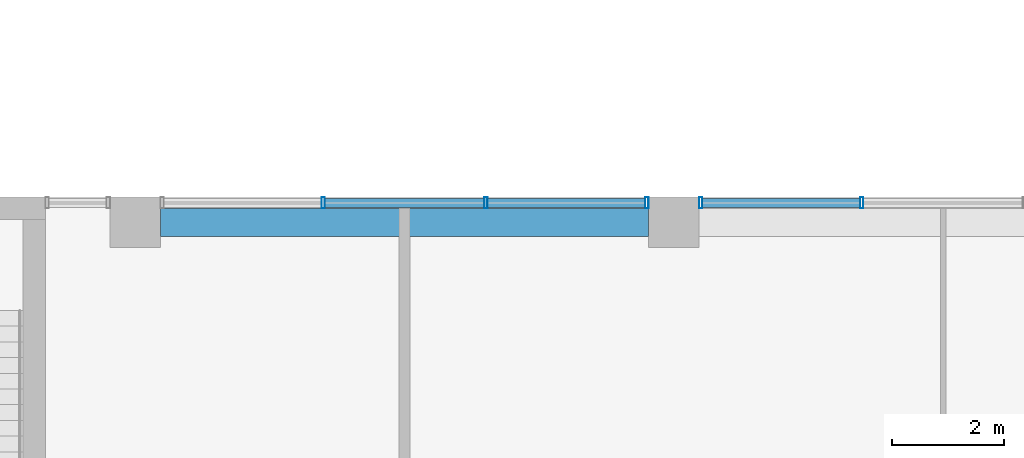
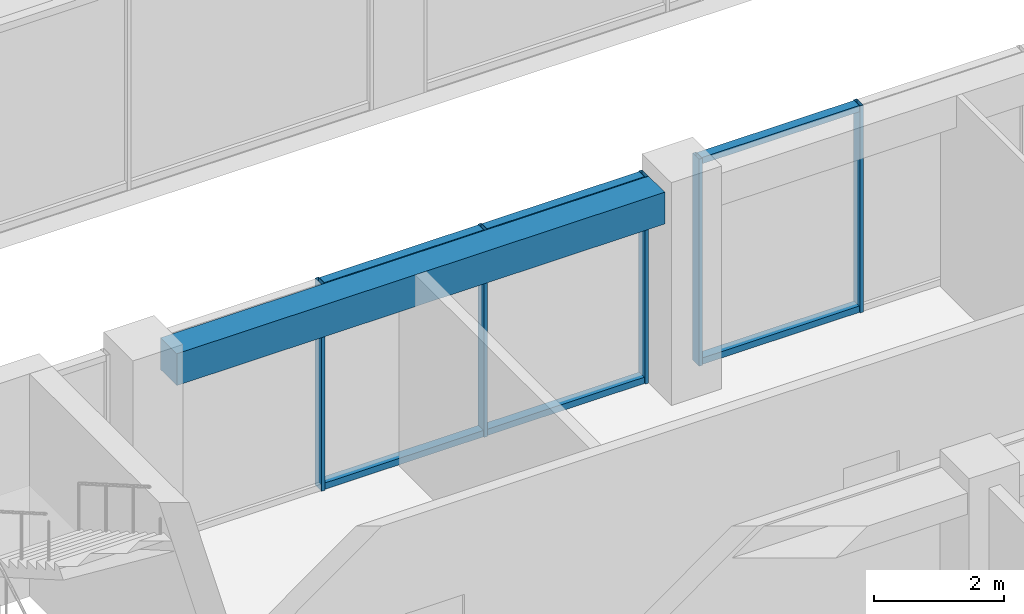
# One storey, part 16 of 36: 11 members, 1 beam, 2 elements without a shape of their own.
"""IFC4 building model written with IfcOpenShell, lengths in metres."""

from ifc_helpers import new_model, si_unit, direction, frame, origin, origin_2d, place, context, subcontext, project, spatial, rectangle, hollow_rectangle, extrude, material, layer, layer_set, material_profile, profile_set, type_object, element, aggregate, save


model = new_model("IFC4")

# Units and contexts
model_context = context("Model", 3, precision=1e-05, world=origin(), true_north=direction((0.0, 1.0)))
body_context = subcontext(model_context, "Body", "Model", "MODEL_VIEW")
ifc_project = project(units=[si_unit("LENGTHUNIT", "METRE"), si_unit("AREAUNIT", "SQUARE_METRE"), si_unit("VOLUMEUNIT", "CUBIC_METRE"), si_unit("PLANEANGLEUNIT", "RADIAN"), si_unit("MASSUNIT", "GRAM", prefix="KILO")], contexts=[model_context])

# Site, building, storey
site_placement = place(None, origin())
site = spatial("IfcSite", under=ifc_project, at=site_placement, CompositionType="ELEMENT")
building_placement = place(site_placement, origin())
building = spatial("IfcBuilding", under=site, at=building_placement, Name="Nzadi Deep Aquarium and Research Tower", CompositionType="ELEMENT")
storey_placement = place(building_placement, frame((0.0, 0.0, 44.5)))
storey = spatial("IfcBuildingStorey", under=building, at=storey_placement, Name="L08", CompositionType="ELEMENT", Elevation=44.5)

# Curtain wall, members
ifc_material_1 = material(Name="Aluminium unitised frame", Category="aluminium")
ifc_layer = layer(ifc_material_1, 0.199951171875)
ifc_layer_set = layer_set([ifc_layer], Name="Aluminium unitised frame")
curtain_wall_type = type_object("IfcCurtainWallType", Name="Curtain wall Unitised 200", PredefinedType="NOTDEFINED", material=ifc_layer_set)
curtain_wall_1_placement = place(storey_placement, origin())
curtain_wall_1 = element("IfcCurtainWall", 1, at=curtain_wall_1_placement, inside=storey, type_object=curtain_wall_type, Name="Unitised curtain wall blade A north L08", PredefinedType="NOTDEFINED")
ifc_material_2 = material(Name="Aluminium unitised frame", Category="aluminium")
ifc_material_profile_1 = material_profile(ifc_material_2, hollow_rectangle(XDim=0.199951171875, YDim=0.06005859375, WallThickness=0.0048828125, at=origin_2d()))
ifc_profile_set_1 = profile_set([ifc_material_profile_1], Name="Aluminium unitised frame")
member_type_1 = type_object("IfcMemberType", Name="Mullion 60x200 Unitised", PredefinedType="MULLION", material=ifc_profile_set_1)
member_1_placement = place(storey_placement, frame((32.14990234375, 18.75, 0.0), z_axis=(0.0, 0.0, 1.0), x_axis=(0.0, 1.0, 0.0)))
member_1 = element("IfcMember", 2, at=member_1_placement, type_object=member_type_1, Name="CW027 mullion 2", PredefinedType="MULLION", context=body_context, shape_type="SweptSolid", body=[
    extrude(hollow_rectangle(XDim=0.199951171875, YDim=0.06005859375, WallThickness=0.0048828125, at=origin_2d()), origin(), (0.0, 0.0, 1.0), 3.89990234375),
])
member_2_placement = place(storey_placement, frame((35.050048828125, 18.75, 0.0), z_axis=(0.0, 0.0, 1.0), x_axis=(0.0, 1.0, 0.0)))
member_2 = element("IfcMember", 3, at=member_2_placement, type_object=member_type_1, Name="CW027 mullion 3", PredefinedType="MULLION", context=body_context, shape_type="SweptSolid", body=[
    extrude(hollow_rectangle(XDim=0.199951171875, YDim=0.06005859375, WallThickness=0.0048828125, at=origin_2d()), origin(), (0.0, 0.0, 1.0), 3.89990234375),
])
member_3_placement = place(storey_placement, frame((37.919921875, 18.75, 0.0), z_axis=(0.0, 0.0, 1.0), x_axis=(0.0, 1.0, 0.0)))
member_3 = element("IfcMember", 4, at=member_3_placement, type_object=member_type_1, Name="CW027 mullion 4", PredefinedType="MULLION", context=body_context, shape_type="SweptSolid", body=[
    extrude(hollow_rectangle(XDim=0.199951171875, YDim=0.06005859375, WallThickness=0.0048828125, at=origin_2d()), origin(), (0.0, 0.0, 1.0), 3.89990234375),
])

curtain_wall_2_placement = place(storey_placement, origin())
curtain_wall_2 = element("IfcCurtainWall", 5, at=curtain_wall_2_placement, inside=storey, type_object=curtain_wall_type, Name="Unitised curtain wall blade A north L08", PredefinedType="NOTDEFINED")
member_4_placement = place(storey_placement, frame((38.8798828125, 18.75, 0.0), z_axis=(0.0, 0.0, 1.0), x_axis=(0.0, 1.0, 0.0)))
member_4 = element("IfcMember", 6, at=member_4_placement, type_object=member_type_1, Name="CW028 mullion 1", PredefinedType="MULLION", context=body_context, shape_type="SweptSolid", body=[
    extrude(hollow_rectangle(XDim=0.199951171875, YDim=0.06005859375, WallThickness=0.0048828125, at=origin_2d()), origin(), (0.0, 0.0, 1.0), 3.89990234375),
])
member_5_placement = place(storey_placement, frame((41.75, 18.75, 0.0), z_axis=(0.0, 0.0, 1.0), x_axis=(0.0, 1.0, 0.0)))
member_5 = element("IfcMember", 7, at=member_5_placement, type_object=member_type_1, Name="CW028 mullion 2", PredefinedType="MULLION", context=body_context, shape_type="SweptSolid", body=[
    extrude(hollow_rectangle(XDim=0.199951171875, YDim=0.06005859375, WallThickness=0.0048828125, at=origin_2d()), origin(), (0.0, 0.0, 1.0), 3.89990234375),
])

# Beam
ifc_material_3 = material(Name="Concrete C35/45", Category="concrete")
ifc_material_profile_2 = material_profile(ifc_material_3, rectangle(XDim=0.5, YDim=0.60009765625, at=origin_2d()))
ifc_profile_set_2 = profile_set([ifc_material_profile_2], Name="Concrete C35/45")
beam_type = type_object("IfcBeamType", Name="RC 500x600", PredefinedType="BEAM", material=ifc_profile_set_2)
beam_placement = place(storey_placement, frame((29.25, 18.39990234375, 3.60009765625), z_axis=(1.0, 0.0, 0.0), x_axis=(0.0, 1.0, 0.0)))
element("IfcBeam", 8, at=beam_placement, inside=storey, type_object=beam_type, Name="B-Z1-L08-L3-4", PredefinedType="BEAM", context=body_context, shape_type="SweptSolid", body=[
    extrude(rectangle(XDim=0.5, YDim=0.60009765625, at=origin_2d()), origin(), (0.0, 0.0, 1.0), 8.699951171875),
])

# Member
ifc_material_4 = material(Name="Aluminium unitised frame", Category="aluminium")
ifc_material_profile_3 = material_profile(ifc_material_4, hollow_rectangle(XDim=0.159912109375, YDim=0.1201171875, WallThickness=0.0048828125, at=origin_2d()))
ifc_profile_set_3 = profile_set([ifc_material_profile_3], Name="Aluminium unitised frame")
member_type_2 = type_object("IfcMemberType", Name="Transom 120x160 Unitised", PredefinedType="MULLION", material=ifc_profile_set_3)
member_6_placement = place(storey_placement, frame((32.179931640625, 18.75, 0.06005859375), z_axis=(1.0, 0.0, 0.0), x_axis=(0.0, 1.0, 0.0)))
member_6 = element("IfcMember", 9, at=member_6_placement, type_object=member_type_2, Name="CW027 transom 2.1", PredefinedType="MULLION", context=body_context, shape_type="SweptSolid", body=[
    extrude(hollow_rectangle(XDim=0.159912109375, YDim=0.1201171875, WallThickness=0.0048828125, at=origin_2d()), origin(), (0.0, 0.0, 1.0), 2.840087890625),
])

member_7_placement = place(storey_placement, frame((32.179931640625, 18.75, 3.840087890625), z_axis=(1.0, 0.0, 0.0), x_axis=(0.0, 1.0, 0.0)))
member_7 = element("IfcMember", 10, at=member_7_placement, type_object=member_type_2, Name="CW027 transom 2.2", PredefinedType="MULLION", context=body_context, shape_type="SweptSolid", body=[
    extrude(hollow_rectangle(XDim=0.159912109375, YDim=0.1201171875, WallThickness=0.0048828125, at=origin_2d()), origin(), (0.0, 0.0, 1.0), 2.840087890625),
])

member_8_placement = place(storey_placement, frame((35.080078125, 18.75, 0.06005859375), z_axis=(1.0, 0.0, 0.0), x_axis=(0.0, 1.0, 0.0)))
member_8 = element("IfcMember", 11, at=member_8_placement, type_object=member_type_2, Name="CW027 transom 3.1", PredefinedType="MULLION", context=body_context, shape_type="SweptSolid", body=[
    extrude(hollow_rectangle(XDim=0.159912109375, YDim=0.1201171875, WallThickness=0.0048828125, at=origin_2d()), origin(), (0.0, 0.0, 1.0), 2.809814453125),
])

member_9_placement = place(storey_placement, frame((35.080078125, 18.75, 3.840087890625), z_axis=(1.0, 0.0, 0.0), x_axis=(0.0, 1.0, 0.0)))
member_9 = element("IfcMember", 12, at=member_9_placement, type_object=member_type_2, Name="CW027 transom 3.2", PredefinedType="MULLION", context=body_context, shape_type="SweptSolid", body=[
    extrude(hollow_rectangle(XDim=0.159912109375, YDim=0.1201171875, WallThickness=0.0048828125, at=origin_2d()), origin(), (0.0, 0.0, 1.0), 2.809814453125),
])

aggregate(curtain_wall_1, [member_1, member_2, member_3, member_6, member_7, member_8, member_9])

member_10_placement = place(storey_placement, frame((38.909912109375, 18.75, 0.06005859375), z_axis=(1.0, 0.0, 0.0), x_axis=(0.0, 1.0, 0.0)))
member_10 = element("IfcMember", 13, at=member_10_placement, type_object=member_type_2, Name="CW028 transom 1.1", PredefinedType="MULLION", context=body_context, shape_type="SweptSolid", body=[
    extrude(hollow_rectangle(XDim=0.159912109375, YDim=0.1201171875, WallThickness=0.0048828125, at=origin_2d()), origin(), (0.0, 0.0, 1.0), 2.81005859375),
])

member_11_placement = place(storey_placement, frame((38.909912109375, 18.75, 3.840087890625), z_axis=(1.0, 0.0, 0.0), x_axis=(0.0, 1.0, 0.0)))
member_11 = element("IfcMember", 14, at=member_11_placement, type_object=member_type_2, Name="CW028 transom 1.2", PredefinedType="MULLION", context=body_context, shape_type="SweptSolid", body=[
    extrude(hollow_rectangle(XDim=0.159912109375, YDim=0.1201171875, WallThickness=0.0048828125, at=origin_2d()), origin(), (0.0, 0.0, 1.0), 2.81005859375),
])

aggregate(curtain_wall_2, [member_4, member_5, member_10, member_11])

save(model, "model.ifc")
